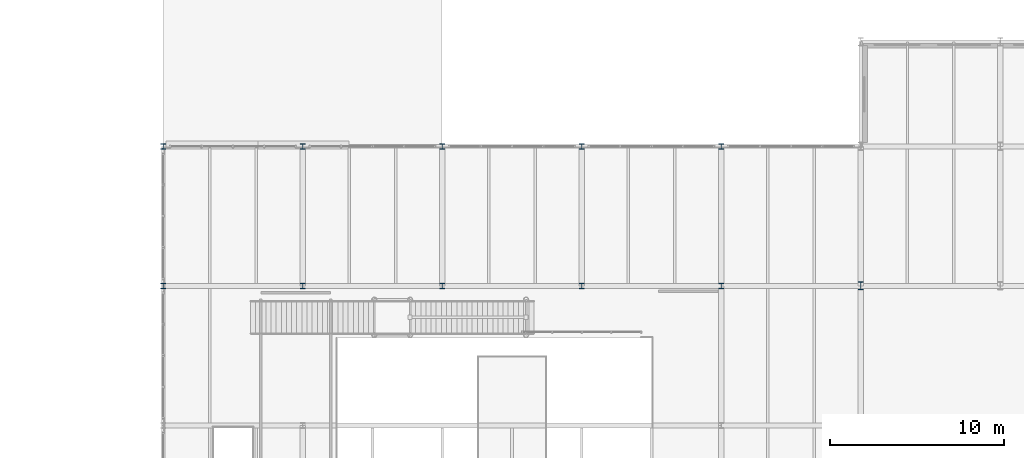
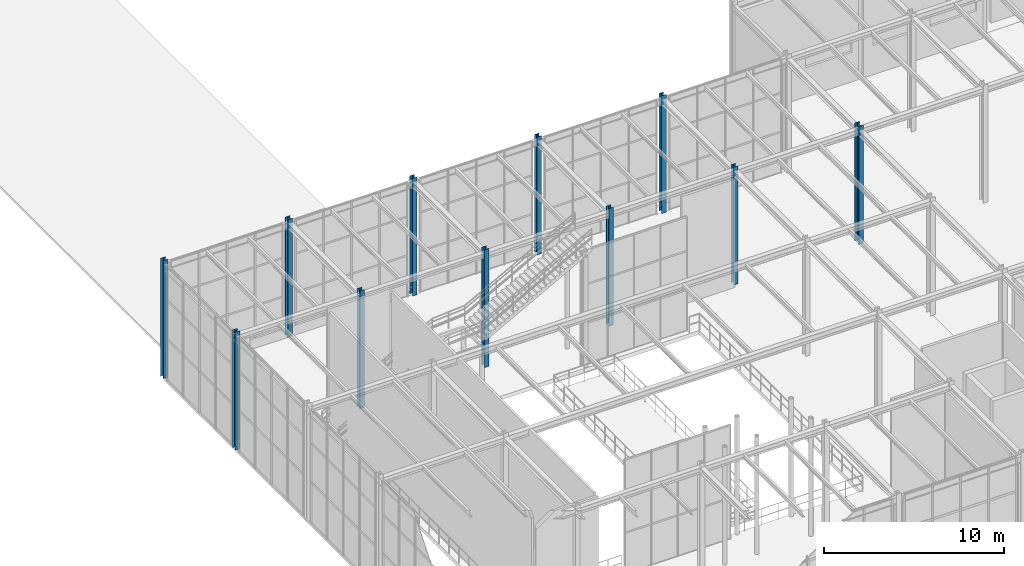
# One storey, part 5 of 138: 11 columns.
"""IFC4 building model written with IfcOpenShell, lengths in metres."""

from ifc_helpers import new_model, si_unit, direction, frame, origin, origin_2d, place, context, subcontext, project, spatial, i_section, extrude, material, material_profile, profile_set, type_object, element, save


model = new_model("IFC4")

# Units and contexts
model_context = context("Model", 3, precision=1e-05, world=origin(), true_north=direction((0.0, 1.0)))
body_context = subcontext(model_context, "Body", "Model", "MODEL_VIEW")
ifc_project = project(units=[si_unit("LENGTHUNIT", "METRE"), si_unit("AREAUNIT", "SQUARE_METRE"), si_unit("VOLUMEUNIT", "CUBIC_METRE"), si_unit("PLANEANGLEUNIT", "RADIAN"), si_unit("MASSUNIT", "GRAM", prefix="KILO")], contexts=[model_context])

# Site, building, storey
site_placement = place(None, origin())
site = spatial("IfcSite", under=ifc_project, at=site_placement, CompositionType="ELEMENT")
building_placement = place(site_placement, origin())
building = spatial("IfcBuilding", under=site, at=building_placement, Name="Sundkrona Museum", CompositionType="ELEMENT")
storey_placement = place(building_placement, frame((0.0, 0.0, 9.60009765625)))
storey = spatial("IfcBuildingStorey", under=building, at=storey_placement, Name="L02", CompositionType="ELEMENT", Elevation=9.60009765625)

# Columns
ifc_material = material(Name="Steel S355J2", Category="steel")
ifc_material_profile_1 = material_profile(ifc_material, i_section(OverallWidth=0.300048828125, OverallDepth=0.300048828125, WebThickness=0.010986328125, FlangeThickness=0.01904296875, FilletRadius=0.027099609375, at=origin_2d()), Name="HEB 300")
ifc_profile_set_1 = profile_set([ifc_material_profile_1], Name="Steel S355J2")
column_type_1 = type_object("IfcColumnType", Name="C-HEB300", PredefinedType="COLUMN", material=ifc_profile_set_1)
for number, where, z_axis, x_axis, name in (
    (1, (80.0, 32.0, 0.0), (0.0, 0.0, 1.0), (1.0, 0.0, 0.0), "L02 Column E/11"),
    (2, (80.0, 40.0, 0.0), (0.0, 0.0, 1.0), (1.0, 0.0, 0.0), "L02 Column F/11"),
    (3, (88.0, 32.0, 0.0), (0.0, 0.0, 1.0), (1.0, 0.0, 0.0), "L02 Column E/12"),
    (4, (88.0, 40.0, 0.0), (0.0, 0.0, 1.0), (1.0, 0.0, 0.0), "L02 Column F/12"),
    (5, (96.0, 32.0, 0.0), (0.0, 0.0, 1.0), (1.0, 0.0, 0.0), "L02 Column E/13"),
    (6, (96.0, 40.0, 0.0), (0.0, 0.0, 1.0), (1.0, 0.0, 0.0), "L02 Column F/13"),
    (7, (104.0, 32.0, 0.0), (0.0, 0.0, 1.0), (1.0, 0.0, 0.0), "L02 Column E/14"),
    (8, (104.0, 40.0, 0.0), (0.0, 0.0, 1.0), (1.0, 0.0, 0.0), "L02 Column F/14"),
    (9, (112.0, 32.0, 0.0), (0.0, 0.0, 1.0), (1.0, 0.0, 0.0), "L02 Column E/15"),
    (10, (112.0, 40.0, 0.0), (0.0, 0.0, 1.0), (1.0, 0.0, 0.0), "L02 Column F/15"),
):
    element("IfcColumn", number, at=place(storey_placement, frame(where, z_axis=z_axis, x_axis=x_axis)), inside=storey, type_object=column_type_1, Name=name, PredefinedType="COLUMN", context=body_context, shape_type="SweptSolid", body=[
        extrude(i_section(OverallWidth=0.300048828125, OverallDepth=0.300048828125, WebThickness=0.010986328125, FlangeThickness=0.01904296875, FilletRadius=0.027099609375, at=origin_2d()), origin(), (0.0, 0.0, 1.0), 8.0),
    ])
ifc_material_profile_2 = material_profile(ifc_material, i_section(OverallWidth=0.300048828125, OverallDepth=0.449951171875, WebThickness=0.013916015625, FlangeThickness=0.02587890625, FilletRadius=0.027099609375, at=origin_2d()), Name="HEB 450")
ifc_profile_set_2 = profile_set([ifc_material_profile_2], Name="Steel S355J2")
column_type_2 = type_object("IfcColumnType", Name="C-HEB450", PredefinedType="COLUMN", material=ifc_profile_set_2)
column_placement = place(storey_placement, frame((120.0, 32.0, 0.0), z_axis=(0.0, 0.0, 1.0), x_axis=(1.0, 0.0, 0.0)))
element("IfcColumn", 11, at=column_placement, inside=storey, type_object=column_type_2, Name="L02 Column E/16", PredefinedType="COLUMN", context=body_context, shape_type="SweptSolid", body=[
    extrude(i_section(OverallWidth=0.300048828125, OverallDepth=0.449951171875, WebThickness=0.013916015625, FlangeThickness=0.02587890625, FilletRadius=0.027099609375, at=origin_2d()), origin(), (0.0, 0.0, 1.0), 8.0),
])

save(model, "model.ifc")
